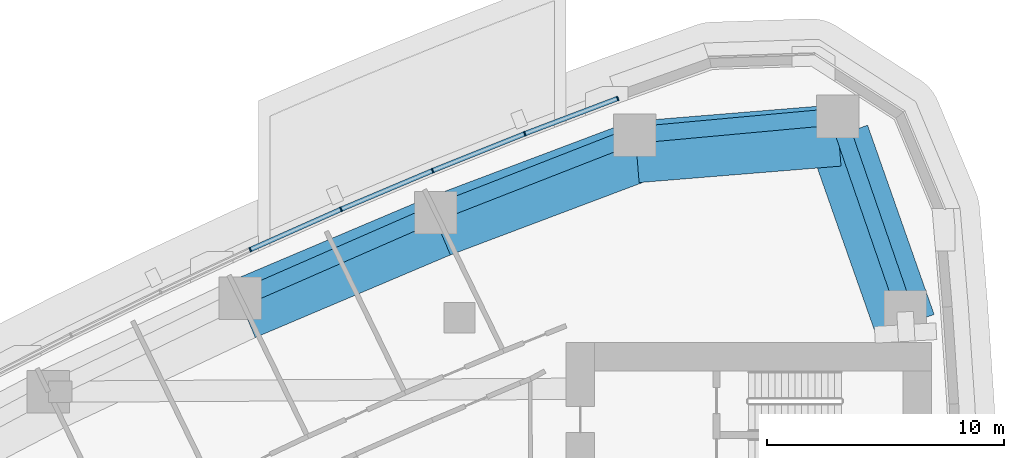
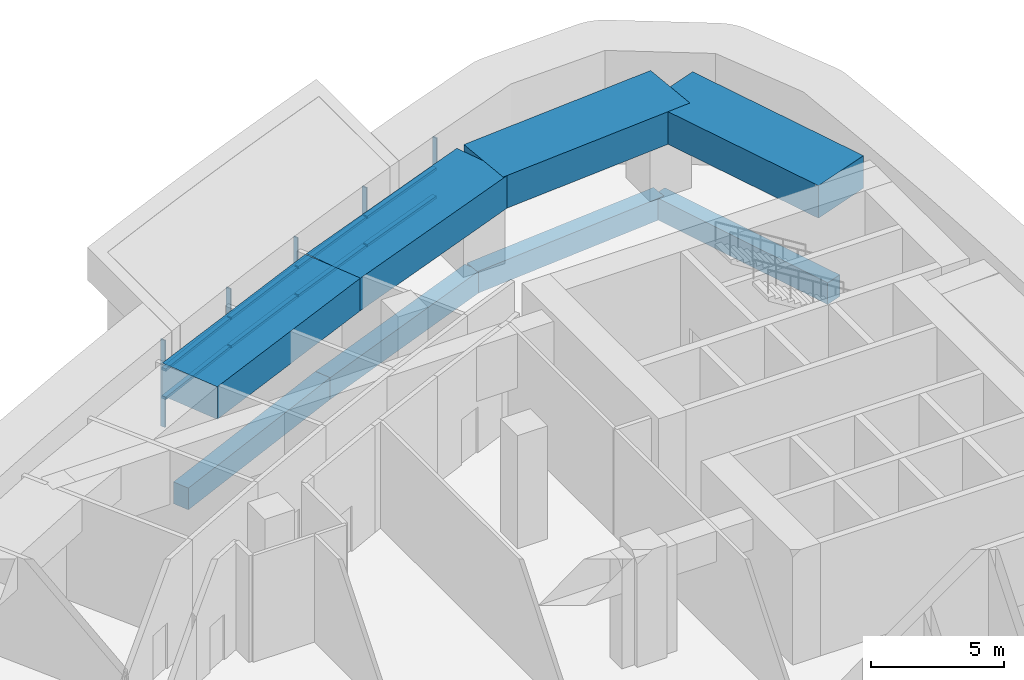
# One storey, part 7 of 17: 13 members, 8 beams, 2 elements without a shape of their own.
"""IFC4 building model written with IfcOpenShell, lengths in metres."""

from ifc_helpers import new_model, si_unit, direction, frame, origin, origin_2d, place, context, subcontext, project, spatial, rectangle, extrude, material, layer, layer_set, material_profile, profile_set, type_object, element, aggregate, save


model = new_model("IFC4")

# Units and contexts
model_context = context("Model", 3, precision=1e-05, world=origin(), true_north=direction((0.0, 1.0)))
body_context = subcontext(model_context, "Body", "Model", "MODEL_VIEW")
ifc_project = project(units=[si_unit("LENGTHUNIT", "METRE"), si_unit("AREAUNIT", "SQUARE_METRE"), si_unit("VOLUMEUNIT", "CUBIC_METRE"), si_unit("PLANEANGLEUNIT", "RADIAN"), si_unit("MASSUNIT", "GRAM", prefix="KILO")], contexts=[model_context])

# Site, building, storey
site_placement = place(None, origin())
site = spatial("IfcSite", under=ifc_project, at=site_placement, CompositionType="ELEMENT")
building_placement = place(site_placement, origin())
building = spatial("IfcBuilding", under=site, at=building_placement, Name="Ostrand Prow Hotel Tower", CompositionType="ELEMENT")
storey_placement = place(building_placement, frame((0.0, 0.0, 75.10009765625)))
storey = spatial("IfcBuildingStorey", under=building, at=storey_placement, Name="L17", CompositionType="ELEMENT", Elevation=75.10009765625)

# Beams
ifc_material_1 = material(Name="Concrete C80/95", Category="concrete")
ifc_material_profile_1 = material_profile(ifc_material_1, rectangle(XDim=2.60009765625, YDim=1.5, at=origin_2d()), Name="RC 2600x1500")
ifc_profile_set_1 = profile_set([ifc_material_profile_1], Name="Concrete C80/95")
beam_type_1 = type_object("IfcBeamType", Name="Belt girder 2600x1500 C80/95", PredefinedType="BEAM", material=ifc_profile_set_1)
beam_1_placement = place(storey_placement, frame((63.814453125, 17.706298828125, 4.14990234375), z_axis=(-0.331850648499, 0.943331938975, 0.0), x_axis=(-0.943331938975, -0.331850648499, 0.0)))
element("IfcBeam", 1, at=beam_1_placement, inside=storey, type_object=beam_type_1, Name="Belt girder B5-NE", PredefinedType="BEAM", context=body_context, shape_type="SweptSolid", body=[
    extrude(rectangle(XDim=2.60009765625, YDim=1.5, at=origin_2d()), origin(), (0.0, 0.0, 1.0), 8.471435546875),
])
beam_2_placement = place(storey_placement, frame((61.003173828125, 25.69775390625, 4.14990234375), z_axis=(-0.996684663051, -0.081361430905, 0.0), x_axis=(0.081361430905, -0.996684663051, 0.0)))
element("IfcBeam", 2, at=beam_2_placement, inside=storey, type_object=beam_type_1, Name="Belt girder NE-N1", PredefinedType="BEAM", context=body_context, shape_type="SweptSolid", body=[
    extrude(rectangle(XDim=2.60009765625, YDim=1.5, at=origin_2d()), origin(), (0.0, 0.0, 1.0), 8.554931640625),
])
beam_3_placement = place(storey_placement, frame((52.4765625, 25.001708984375, 4.14990234375), z_axis=(-0.935725635339, -0.352728699385, 0.0), x_axis=(0.352728699385, -0.935725635339, 0.0)))
element("IfcBeam", 3, at=beam_3_placement, inside=storey, type_object=beam_type_1, Name="Belt girder N1-N2", PredefinedType="BEAM", context=body_context, shape_type="SweptSolid", body=[
    extrude(rectangle(XDim=2.60009765625, YDim=1.5, at=origin_2d()), origin(), (0.0, 0.0, 1.0), 8.947509765625),
])
beam_4_placement = place(storey_placement, frame((44.104248046875, 21.845703125, 4.14990234375), z_axis=(-0.920893043775, -0.389815343369, 0.0), x_axis=(0.389815343369, -0.920893043775, 0.0)))
element("IfcBeam", 4, at=beam_4_placement, inside=storey, type_object=beam_type_1, Name="Belt girder N2-N3", PredefinedType="BEAM", context=body_context, shape_type="SweptSolid", body=[
    extrude(rectangle(XDim=2.60009765625, YDim=1.5, at=origin_2d()), origin(), (0.0, 0.0, 1.0), 8.947265625),
])
ifc_material_2 = material(Name="Concrete C80/95", Category="concrete")
ifc_material_profile_2 = material_profile(ifc_material_2, rectangle(XDim=0.699951171875, YDim=1.0, at=origin_2d()), Name="RC 700x1000")
ifc_profile_set_2 = profile_set([ifc_material_profile_2], Name="Concrete C80/95")
beam_type_2 = type_object("IfcBeamType", Name="Edge beam 700x1000 C80/95", PredefinedType="SPANDREL", material=ifc_profile_set_2)
beam_5_placement = place(storey_placement, frame((63.8134765625, 18.248779296875, -0.900146484375), z_axis=(-0.326263961413, 0.945278703602, 0.0), x_axis=(-0.945278703602, -0.326263961413, 0.0)))
element("IfcBeam", 5, at=beam_5_placement, inside=storey, type_object=beam_type_2, Name="Edge beam B5-NE", PredefinedType="SPANDREL", context=body_context, shape_type="SweptSolid", body=[
    extrude(rectangle(XDim=0.699951171875, YDim=1.0, at=origin_2d()), origin(), (0.0, 0.0, 1.0), 8.727294921875),
])
beam_6_placement = place(storey_placement, frame((60.966064453125, 26.49853515625, -0.900146484375), z_axis=(-0.995800189514, -0.091553167961, 0.0), x_axis=(0.091553167961, -0.995800189514, 0.0)))
element("IfcBeam", 6, at=beam_6_placement, inside=storey, type_object=beam_type_2, Name="Edge beam NE-N1", PredefinedType="SPANDREL", context=body_context, shape_type="SweptSolid", body=[
    extrude(rectangle(XDim=0.699951171875, YDim=1.0, at=origin_2d()), origin(), (0.0, 0.0, 1.0), 8.610595703125),
])
for number, where, z_axis, x_axis, name in (
    (7, (52.3916015625, 25.710205078125, -0.900146484375), (-0.931329480916, -0.364177701098, 0.0), (0.364177701098, -0.931329480916, 0.0), "Edge beam N1-N2"),
    (8, (43.997802734375, 22.427978515625, -0.900146484375), (-0.916095776162, -0.400959510297, 0.0), (0.400959510297, -0.916095776162, 0.0), "Edge beam N2-N3"),
):
    element("IfcBeam", number, at=place(storey_placement, frame(where, z_axis=z_axis, x_axis=x_axis)), inside=storey, type_object=beam_type_2, Name=name, PredefinedType="SPANDREL", context=body_context, shape_type="SweptSolid", body=[
        extrude(rectangle(XDim=0.699951171875, YDim=1.0, at=origin_2d()), origin(), (0.0, 0.0, 1.0), 9.0126953125),
    ])

# Curtain wall, members
ifc_material_3 = material(Name="Insulated glass in bronze anodised frame", Category="glass")
ifc_layer = layer(ifc_material_3, 0.199951171875)
ifc_layer_set = layer_set([ifc_layer], Name="Insulated glass in bronze anodised frame")
curtain_wall_type = type_object("IfcCurtainWallType", Name="Plant storey louvre wall", PredefinedType="NOTDEFINED", material=ifc_layer_set)
curtain_wall_1_placement = place(storey_placement, origin())
curtain_wall_1 = element("IfcCurtainWall", 9, at=curtain_wall_1_placement, inside=storey, type_object=curtain_wall_type, Name="CW7 run CWN1", PredefinedType="NOTDEFINED")
ifc_material_4 = material(Name="Bronze anodised aluminium", Category="aluminium")
ifc_material_profile_3 = material_profile(ifc_material_4, rectangle(XDim=0.199951171875, YDim=0.06005859375, at=origin_2d()), Name="Mullion 60x200 bronze anodised aluminium")
ifc_profile_set_3 = profile_set([ifc_material_profile_3], Name="Bronze anodised aluminium")
member_type_1 = type_object("IfcMemberType", Name="Mullion 60x200 bronze anodised aluminium", PredefinedType="MULLION", material=ifc_profile_set_3)
member_1_placement = place(storey_placement, frame((51.674560546875, 27.2578125, 0.89990234375), z_axis=(0.0, 0.0, 1.0), x_axis=(0.354728407072, -0.934969388384, 0.0)))
member_1 = element("IfcMember", 10, at=member_1_placement, type_object=member_type_1, Name="CW7 mullion 1", PredefinedType="MULLION", context=body_context, shape_type="SweptSolid", body=[
    extrude(rectangle(XDim=0.199951171875, YDim=0.06005859375, at=origin_2d()), origin(), (0.0, 0.0, 1.0), 4.0),
])
member_2_placement = place(storey_placement, frame((47.7529296875, 25.769775390625, 0.89990234375), z_axis=(0.0, 0.0, 1.0), x_axis=(0.371873380669, -0.928283463577, 0.0)))
member_2 = element("IfcMember", 11, at=member_2_placement, type_object=member_type_1, Name="CW7 mullion 2", PredefinedType="MULLION", context=body_context, shape_type="SweptSolid", body=[
    extrude(rectangle(XDim=0.199951171875, YDim=0.06005859375, at=origin_2d()), origin(), (0.0, 0.0, 1.0), 4.0),
])
member_3_placement = place(storey_placement, frame((43.859619140625, 24.210205078125, 0.89990234375), z_axis=(0.0, 0.0, 1.0), x_axis=(0.371873380669, -0.928283463577, 0.0)))
member_3 = element("IfcMember", 12, at=member_3_placement, type_object=member_type_1, Name="CW7 mullion 3", PredefinedType="MULLION", context=body_context, shape_type="SweptSolid", body=[
    extrude(rectangle(XDim=0.199951171875, YDim=0.06005859375, at=origin_2d()), origin(), (0.0, 0.0, 1.0), 4.0),
])

curtain_wall_2_placement = place(storey_placement, origin())
curtain_wall_2 = element("IfcCurtainWall", 13, at=curtain_wall_2_placement, inside=storey, type_object=curtain_wall_type, Name="CW7 run CWN2", PredefinedType="NOTDEFINED")
member_4_placement = place(storey_placement, frame((39.99560546875, 22.5791015625, 0.89990234375), z_axis=(0.0, 0.0, 1.0), x_axis=(0.405779757666, -0.913970890274, 0.0)))
member_4 = element("IfcMember", 14, at=member_4_placement, type_object=member_type_1, Name="CW7 mullion 2", PredefinedType="MULLION", context=body_context, shape_type="SweptSolid", body=[
    extrude(rectangle(XDim=0.199951171875, YDim=0.06005859375, at=origin_2d()), origin(), (0.0, 0.0, 1.0), 4.0),
])
member_5_placement = place(storey_placement, frame((36.162109375, 20.876953125, 0.89990234375), z_axis=(0.0, 0.0, 1.0), x_axis=(0.405779757666, -0.913970890274, 0.0)))
member_5 = element("IfcMember", 15, at=member_5_placement, type_object=member_type_1, Name="CW7 mullion 3", PredefinedType="MULLION", context=body_context, shape_type="SweptSolid", body=[
    extrude(rectangle(XDim=0.199951171875, YDim=0.06005859375, at=origin_2d()), origin(), (0.0, 0.0, 1.0), 4.0),
])

# Member
ifc_material_5 = material(Name="Bronze anodised aluminium", Category="aluminium")
ifc_material_profile_4 = material_profile(ifc_material_5, rectangle(XDim=0.199951171875, YDim=0.1201171875, at=origin_2d()), Name="Transom 120x200 bronze anodised aluminium")
ifc_profile_set_4 = profile_set([ifc_material_profile_4], Name="Bronze anodised aluminium")
member_type_2 = type_object("IfcMemberType", Name="Transom 120x200 bronze anodised aluminium", PredefinedType="USERDEFINED", material=ifc_profile_set_4)
member_6_placement = place(storey_placement, frame((51.646484375, 27.2470703125, 2.199951171875), z_axis=(-0.93497051437, -0.354725439261, 0.0), x_axis=(0.354725439261, -0.93497051437, 0.0)))
member_6 = element("IfcMember", 16, at=member_6_placement, type_object=member_type_2, Name="CW7 transom 1.1", ObjectType="TRANSOM", PredefinedType="USERDEFINED", context=body_context, shape_type="SweptSolid", body=[
    extrude(rectangle(XDim=0.199951171875, YDim=0.1201171875, at=origin_2d()), origin(), (0.0, 0.0, 1.0), 4.13427734375),
])

member_7_placement = place(storey_placement, frame((51.646484375, 27.2470703125, 3.5), z_axis=(-0.93497051437, -0.354725439261, 0.0), x_axis=(0.354725439261, -0.93497051437, 0.0)))
member_7 = element("IfcMember", 17, at=member_7_placement, type_object=member_type_2, Name="CW7 transom 1.2", ObjectType="TRANSOM", PredefinedType="USERDEFINED", context=body_context, shape_type="SweptSolid", body=[
    extrude(rectangle(XDim=0.199951171875, YDim=0.1201171875, at=origin_2d()), origin(), (0.0, 0.0, 1.0), 4.13427734375),
])

member_8_placement = place(storey_placement, frame((47.72509765625, 25.7587890625, 2.199951171875), z_axis=(-0.928264761225, -0.371920062739, 0.0), x_axis=(0.371920062739, -0.928264761225, 0.0)))
member_8 = element("IfcMember", 18, at=member_8_placement, type_object=member_type_2, Name="CW7 transom 2.1", ObjectType="TRANSOM", PredefinedType="USERDEFINED", context=body_context, shape_type="SweptSolid", body=[
    extrude(rectangle(XDim=0.199951171875, YDim=0.1201171875, at=origin_2d()), origin(), (0.0, 0.0, 1.0), 4.13427734375),
])

member_9_placement = place(storey_placement, frame((47.72509765625, 25.7587890625, 3.5), z_axis=(-0.928264761225, -0.371920062739, 0.0), x_axis=(0.371920062739, -0.928264761225, 0.0)))
member_9 = element("IfcMember", 19, at=member_9_placement, type_object=member_type_2, Name="CW7 transom 2.2", ObjectType="TRANSOM", PredefinedType="USERDEFINED", context=body_context, shape_type="SweptSolid", body=[
    extrude(rectangle(XDim=0.199951171875, YDim=0.1201171875, at=origin_2d()), origin(), (0.0, 0.0, 1.0), 4.13427734375),
])

aggregate(curtain_wall_1, [member_1, member_2, member_3, member_6, member_7, member_8, member_9])

member_10_placement = place(storey_placement, frame((43.831787109375, 24.198486328125, 2.199951171875), z_axis=(-0.921284828297, -0.388888499637, 0.0), x_axis=(0.388888499637, -0.921284828297, 0.0)))
member_10 = element("IfcMember", 20, at=member_10_placement, type_object=member_type_2, Name="CW7 transom 1.1", ObjectType="TRANSOM", PredefinedType="USERDEFINED", context=body_context, shape_type="SweptSolid", body=[
    extrude(rectangle(XDim=0.199951171875, YDim=0.1201171875, at=origin_2d()), origin(), (0.0, 0.0, 1.0), 4.134033203125),
])

member_11_placement = place(storey_placement, frame((43.831787109375, 24.198486328125, 3.5), z_axis=(-0.921284828297, -0.388888499637, 0.0), x_axis=(0.388888499637, -0.921284828297, 0.0)))
member_11 = element("IfcMember", 21, at=member_11_placement, type_object=member_type_2, Name="CW7 transom 1.2", ObjectType="TRANSOM", PredefinedType="USERDEFINED", context=body_context, shape_type="SweptSolid", body=[
    extrude(rectangle(XDim=0.199951171875, YDim=0.1201171875, at=origin_2d()), origin(), (0.0, 0.0, 1.0), 4.134033203125),
])

member_12_placement = place(storey_placement, frame((39.968017578125, 22.56689453125, 2.199951171875), z_axis=(-0.913957599094, -0.405809693156, 0.0), x_axis=(0.405809693156, -0.913957599094, 0.0)))
member_12 = element("IfcMember", 22, at=member_12_placement, type_object=member_type_2, Name="CW7 transom 2.1", ObjectType="TRANSOM", PredefinedType="USERDEFINED", context=body_context, shape_type="SweptSolid", body=[
    extrude(rectangle(XDim=0.199951171875, YDim=0.1201171875, at=origin_2d()), origin(), (0.0, 0.0, 1.0), 4.13427734375),
])

member_13_placement = place(storey_placement, frame((39.968017578125, 22.56689453125, 3.5), z_axis=(-0.913957599094, -0.405809693156, 0.0), x_axis=(0.405809693156, -0.913957599094, 0.0)))
member_13 = element("IfcMember", 23, at=member_13_placement, type_object=member_type_2, Name="CW7 transom 2.2", ObjectType="TRANSOM", PredefinedType="USERDEFINED", context=body_context, shape_type="SweptSolid", body=[
    extrude(rectangle(XDim=0.199951171875, YDim=0.1201171875, at=origin_2d()), origin(), (0.0, 0.0, 1.0), 4.13427734375),
])

aggregate(curtain_wall_2, [member_4, member_5, member_10, member_11, member_12, member_13])

save(model, "model.ifc")
